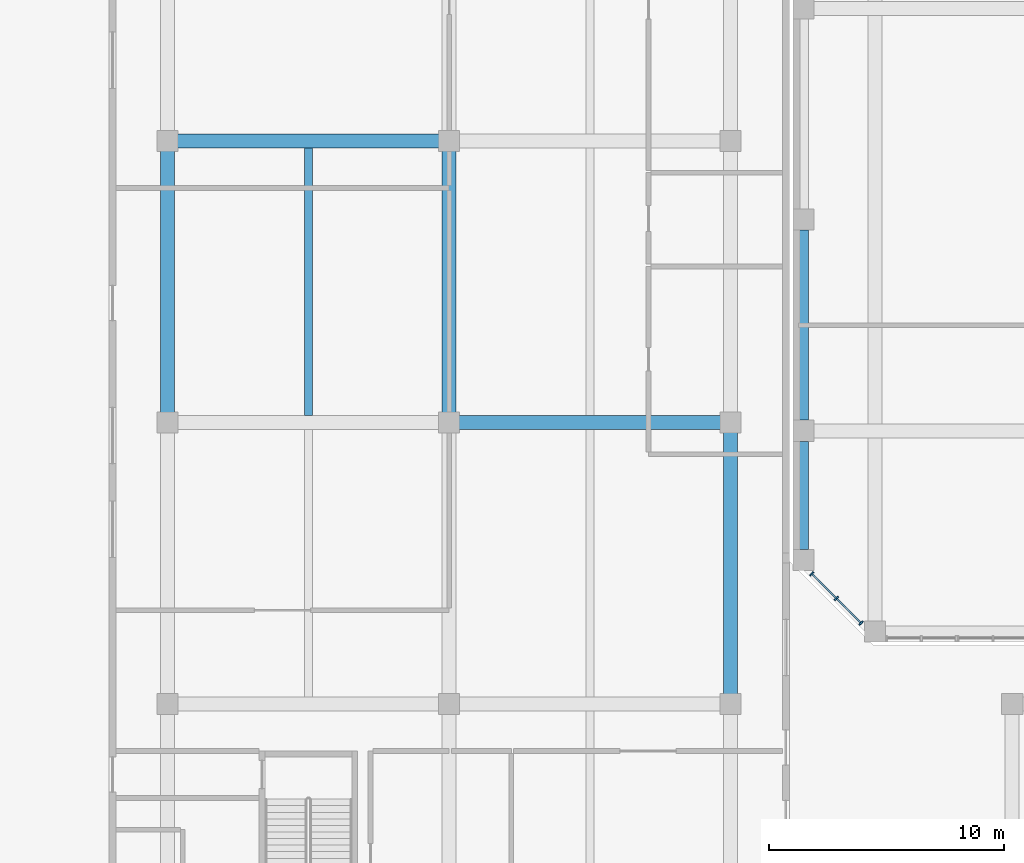
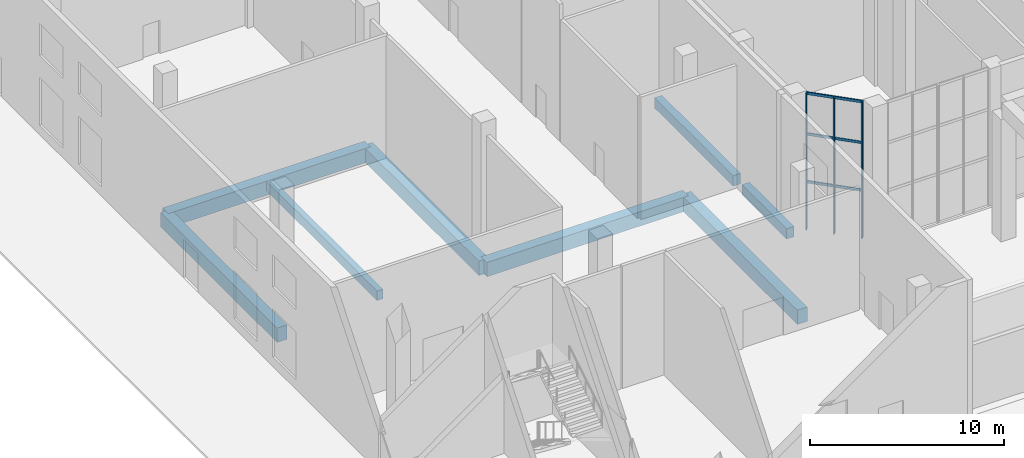
# One storey, part 3 of 43: 9 members, 8 beams, 1 element without a shape of its own.
"""IFC4 building model written with IfcOpenShell, lengths in metres."""

from ifc_helpers import new_model, si_unit, direction, frame, origin, origin_2d, place, context, subcontext, project, spatial, rectangle, extrude, source, transform, mapped, material, material_profile, profile_set, type_object, element, aggregate, save


model = new_model("IFC4")

# Units and contexts
model_context = context("Model", 3, precision=1e-05, world=origin(), true_north=direction((0.0, 1.0)))
body_context = subcontext(model_context, "Body", "Model", "MODEL_VIEW")
ifc_project = project(units=[si_unit("LENGTHUNIT", "METRE"), si_unit("AREAUNIT", "SQUARE_METRE"), si_unit("VOLUMEUNIT", "CUBIC_METRE"), si_unit("PLANEANGLEUNIT", "RADIAN"), si_unit("MASSUNIT", "GRAM", prefix="KILO")], contexts=[model_context])

# Site, building, storey
site_placement = place(None, origin())
site = spatial("IfcSite", under=ifc_project, at=site_placement, CompositionType="ELEMENT")
building_placement = place(site_placement, origin())
building = spatial("IfcBuilding", under=site, at=building_placement, Name="Kilnfold Tower and Market Hall", CompositionType="ELEMENT")
storey_placement = place(building_placement, origin())
storey = spatial("IfcBuildingStorey", under=building, at=storey_placement, Name="L00", CompositionType="ELEMENT", Elevation=0.0)

# Beams
ifc_material_1 = material(Name="Concrete C40/50", Category="concrete")
ifc_material_profile_1 = material_profile(ifc_material_1, rectangle(XDim=0.60009765625, YDim=0.89990234375, at=origin_2d()), Name="RC 600x900")
ifc_profile_set_1 = profile_set([ifc_material_profile_1], Name="Concrete C40/50")
beam_type_1 = type_object("IfcBeamType", Name="HALL GIRDER 600X900", PredefinedType="BEAM", material=ifc_profile_set_1)
for number, where, z_axis, x_axis, name in (
    (1, (-54.64990234375, -18.64990234375, -0.860107421875), (0.0, 1.0, 0.0), (-1.0, 0.0, 0.0), "Beam MG1.5"),
    (2, (-54.64990234375, -6.64990234375, -0.860107421875), (1.0, 0.0, 0.0), (0.0, 1.0, 0.0), "Beam MG1.8"),
    (3, (-42.64990234375, -18.64990234375, -0.860107421875), (0.0, 1.0, 0.0), (-1.0, 0.0, 0.0), "Beam MG1.22"),
    (4, (-42.64990234375, -18.64990234375, -0.860107421875), (1.0, 0.0, 0.0), (0.0, 1.0, 0.0), "Beam MG1.23"),
    (5, (-30.64990234375, -30.64990234375, -0.860107421875), (0.0, 1.0, 0.0), (-1.0, 0.0, 0.0), "Beam MG1.36"),
):
    element("IfcBeam", number, at=place(storey_placement, frame(where, z_axis=z_axis, x_axis=x_axis)), inside=storey, type_object=beam_type_1, Name=name, PredefinedType="BEAM", context=body_context, shape_type="SweptSolid", body=[
        extrude(rectangle(XDim=0.60009765625, YDim=0.89990234375, at=origin_2d()), origin(), (0.0, 0.0, 1.0), 12.0),
    ])
ifc_material_2 = material(Name="Concrete C40/50", Category="concrete")
ifc_material_profile_2 = material_profile(ifc_material_2, rectangle(XDim=0.35009765625, YDim=0.60009765625, at=origin_2d()), Name="RC 350x600")
ifc_profile_set_2 = profile_set([ifc_material_profile_2], Name="Concrete C40/50")
beam_type_2 = type_object("IfcBeamType", Name="HALL JOIST 350X600", PredefinedType="BEAM", material=ifc_profile_set_2)
beam_1_placement = place(storey_placement, frame((-48.64990234375, -18.35009765625, -0.7099609375), z_axis=(0.0, 1.0, 0.0), x_axis=(-1.0, 0.0, 0.0)))
element("IfcBeam", 6, at=beam_1_placement, inside=storey, type_object=beam_type_2, Name="Beam MJ1.2", PredefinedType="BEAM", context=body_context, shape_type="SweptSolid", body=[
    extrude(rectangle(XDim=0.35009765625, YDim=0.60009765625, at=origin_2d()), origin(), (0.0, 0.0, 1.0), 11.400146484375),
])
ifc_material_3 = material(Name="Concrete C45", Category="concrete")
ifc_material_profile_3 = material_profile(ifc_material_3, rectangle(XDim=0.449951171875, YDim=0.64990234375, at=origin_2d()), Name="RC 450x650")
ifc_profile_set_3 = profile_set([ifc_material_profile_3], Name="Concrete C45")
beam_type_3 = type_object("IfcBeamType", Name="EDGE BEAM 450X650 C45", PredefinedType="BEAM", material=ifc_profile_set_3)
shared_shape_1 = source(origin(), body_context, "Body", "SweptSolid", [
    extrude(rectangle(XDim=0.449951171875, YDim=0.64990234375, at=origin_2d()), origin(), (0.0, 0.0, 1.0), 4.60009765625),
])
beam_2_placement = place(storey_placement, frame((-27.550048828125, -24.050048828125, -0.735107421875), z_axis=(0.0, 1.0, 0.0), x_axis=(-1.0, 0.0, 0.0)))
element("IfcBeam", 7, at=beam_2_placement, inside=storey, type_object=beam_type_3, Name="Beam EB650-B1.30", PredefinedType="BEAM", context=body_context, shape_type="MappedRepresentation", body=[
    mapped(shared_shape_1, transform((0.0, 0.0, 0.0))),
])
shared_shape_2 = source(origin(), body_context, "Body", "SweptSolid", [
    extrude(rectangle(XDim=0.449951171875, YDim=0.64990234375, at=origin_2d()), origin(), (0.0, 0.0, 1.0), 8.10009765625),
])
beam_3_placement = place(storey_placement, frame((-27.550048828125, -18.550048828125, -0.735107421875), z_axis=(0.0, 1.0, 0.0), x_axis=(-1.0, 0.0, 0.0)))
element("IfcBeam", 8, at=beam_3_placement, inside=storey, type_object=beam_type_3, Name="Beam EB650-B1.31", PredefinedType="BEAM", context=body_context, shape_type="MappedRepresentation", body=[
    mapped(shared_shape_2, transform((0.0, 0.0, 0.0))),
])

# Curtain wall, members
ifc_material_4 = material(Name="Aluminium and double glazing", Category="aluminium")
curtain_wall_type = type_object("IfcCurtainWallType", Name="CW BASE PODIUM GLAZING", PredefinedType="NOTDEFINED", material=ifc_material_4)
curtain_wall_placement = place(storey_placement, origin())
curtain_wall = element("IfcCurtainWall", 9, at=curtain_wall_placement, inside=storey, type_object=curtain_wall_type, Name="Curtain wall CW4 L00 SW", PredefinedType="NOTDEFINED")
ifc_material_5 = material(Name="Aluminium", Category="aluminium")
ifc_material_profile_4 = material_profile(ifc_material_5, rectangle(XDim=0.070068359375, YDim=0.219970703125, at=origin_2d()), Name="MULLION 70x220")
ifc_profile_set_4 = profile_set([ifc_material_profile_4], Name="Aluminium")
member_type_1 = type_object("IfcMemberType", Name="MULLION 70X220", PredefinedType="MULLION", material=ifc_profile_set_4)
shared_shape_3 = source(origin(), body_context, "Body", "SweptSolid", [
    extrude(rectangle(XDim=0.070068359375, YDim=0.219970703125, at=origin_2d()), origin(), (0.0, 0.0, 1.0), 8.60009765625),
])
member_1_placement = place(storey_placement, frame((-27.194091796875, -25.09375, 0.0), z_axis=(0.0, 0.0, 1.0), x_axis=(0.707090337034, -0.707123224957, 0.0)))
member_1 = element("IfcMember", 10, at=member_1_placement, type_object=member_type_1, Name="CW4 mullion 1", PredefinedType="MULLION", context=body_context, shape_type="MappedRepresentation", body=[
    mapped(shared_shape_3, transform((0.0, 0.0, 0.0))),
])
member_2_placement = place(storey_placement, frame((-26.143798828125, -26.14404296875, 0.0), z_axis=(0.0, 0.0, 1.0), x_axis=(0.707090337034, -0.707123224957, 0.0)))
member_2 = element("IfcMember", 11, at=member_2_placement, type_object=member_type_1, Name="CW4 mullion 2", PredefinedType="MULLION", context=body_context, shape_type="MappedRepresentation", body=[
    mapped(shared_shape_3, transform((0.0, 0.0, 0.0))),
])
member_3_placement = place(storey_placement, frame((-25.09375, -27.1943359375, 0.0), z_axis=(0.0, 0.0, 1.0), x_axis=(0.707090337034, -0.707123224957, 0.0)))
member_3 = element("IfcMember", 12, at=member_3_placement, type_object=member_type_1, Name="CW4 mullion 3", PredefinedType="MULLION", context=body_context, shape_type="MappedRepresentation", body=[
    mapped(shared_shape_3, transform((0.0, 0.0, 0.0))),
])
ifc_material_6 = material(Name="Aluminium", Category="aluminium")
ifc_material_profile_5 = material_profile(ifc_material_6, rectangle(XDim=0.070068359375, YDim=0.159912109375, at=origin_2d()), Name="TRANSOM 70x160")
ifc_profile_set_5 = profile_set([ifc_material_profile_5], Name="Aluminium")
member_type_2 = type_object("IfcMemberType", Name="TRANSOM 70X160", PredefinedType="USERDEFINED", material=ifc_profile_set_5)
shared_shape_4 = source(origin(), body_context, "Body", "SweptSolid", [
    extrude(rectangle(XDim=0.070068359375, YDim=0.159912109375, at=origin_2d()), origin(), (0.0, 0.0, 1.0), 1.415283203125),
])
member_4_placement = place(storey_placement, frame((-27.16943359375, -25.118408203125, 3.0), z_axis=(0.707106781187, -0.707106781187, 0.0), x_axis=(0.707106781187, 0.707106781187, 0.0)))
member_4 = element("IfcMember", 13, at=member_4_placement, type_object=member_type_2, Name="CW4 transom 1.2", ObjectType="TRANSOM", PredefinedType="USERDEFINED", context=body_context, shape_type="MappedRepresentation", body=[
    mapped(shared_shape_4, transform((0.0, 0.0, 0.0))),
])
member_5_placement = place(storey_placement, frame((-27.16943359375, -25.118408203125, 6.0), z_axis=(0.707106781187, -0.707106781187, 0.0), x_axis=(0.707106781187, 0.707106781187, 0.0)))
member_5 = element("IfcMember", 14, at=member_5_placement, type_object=member_type_2, Name="CW4 transom 1.3", ObjectType="TRANSOM", PredefinedType="USERDEFINED", context=body_context, shape_type="MappedRepresentation", body=[
    mapped(shared_shape_4, transform((0.0, 0.0, 0.0))),
])
member_6_placement = place(storey_placement, frame((-27.16943359375, -25.118408203125, 8.56494140625), z_axis=(0.707106781187, -0.707106781187, 0.0), x_axis=(0.707106781187, 0.707106781187, 0.0)))
member_6 = element("IfcMember", 15, at=member_6_placement, type_object=member_type_2, Name="CW4 transom 1.4", ObjectType="TRANSOM", PredefinedType="USERDEFINED", context=body_context, shape_type="MappedRepresentation", body=[
    mapped(shared_shape_4, transform((0.0, 0.0, 0.0))),
])
member_7_placement = place(storey_placement, frame((-26.119140625, -26.168701171875, 3.0), z_axis=(0.707106781187, -0.707106781187, 0.0), x_axis=(0.707106781187, 0.707106781187, 0.0)))
member_7 = element("IfcMember", 16, at=member_7_placement, type_object=member_type_2, Name="CW4 transom 2.2", ObjectType="TRANSOM", PredefinedType="USERDEFINED", context=body_context, shape_type="MappedRepresentation", body=[
    mapped(shared_shape_4, transform((0.0, 0.0, 0.0))),
])
member_8_placement = place(storey_placement, frame((-26.119140625, -26.168701171875, 6.0), z_axis=(0.707106781187, -0.707106781187, 0.0), x_axis=(0.707106781187, 0.707106781187, 0.0)))
member_8 = element("IfcMember", 17, at=member_8_placement, type_object=member_type_2, Name="CW4 transom 2.3", ObjectType="TRANSOM", PredefinedType="USERDEFINED", context=body_context, shape_type="MappedRepresentation", body=[
    mapped(shared_shape_4, transform((0.0, 0.0, 0.0))),
])
member_9_placement = place(storey_placement, frame((-26.119140625, -26.168701171875, 8.56494140625), z_axis=(0.707106781187, -0.707106781187, 0.0), x_axis=(0.707106781187, 0.707106781187, 0.0)))
member_9 = element("IfcMember", 18, at=member_9_placement, type_object=member_type_2, Name="CW4 transom 2.4", ObjectType="TRANSOM", PredefinedType="USERDEFINED", context=body_context, shape_type="MappedRepresentation", body=[
    mapped(shared_shape_4, transform((0.0, 0.0, 0.0))),
])
aggregate(curtain_wall, [member_1, member_2, member_3, member_4, member_5, member_6, member_7, member_8, member_9])

save(model, "model.ifc")
